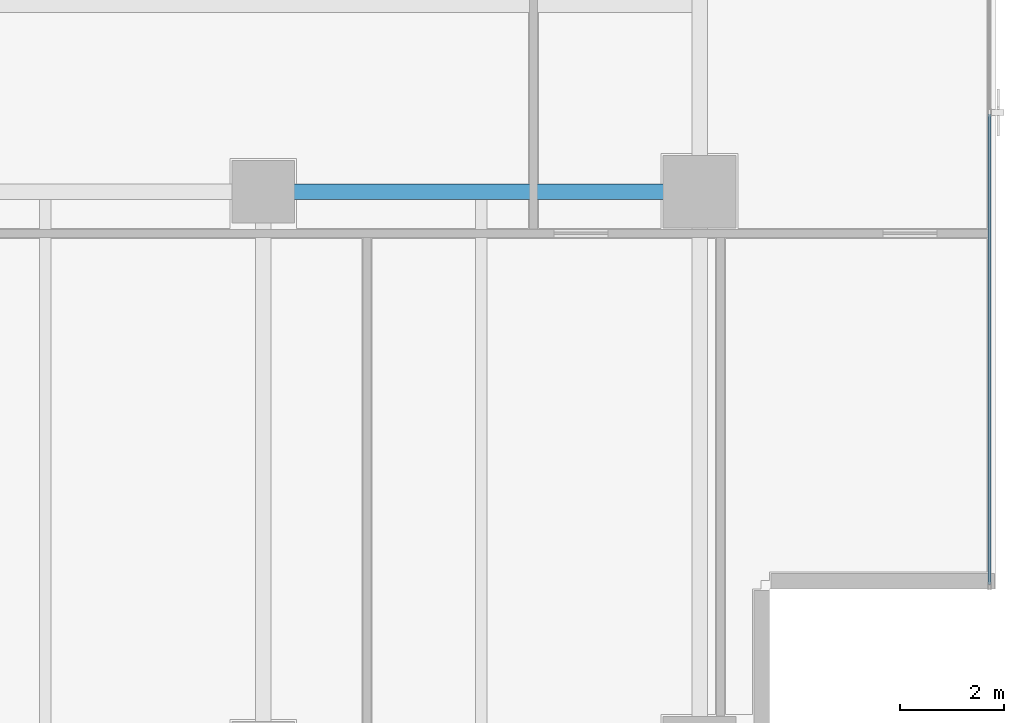
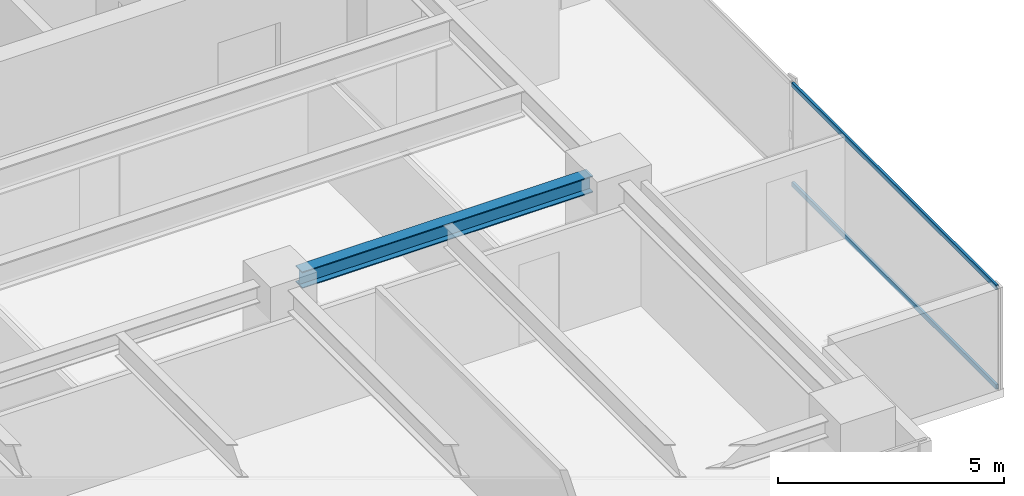
# One storey, part 12 of 26: 2 members, 1 beam, 1 element without a shape of its own.
"""IFC4 building model written with IfcOpenShell, lengths in metres."""

from ifc_helpers import new_model, si_unit, direction, frame, origin, origin_2d, place, context, subcontext, project, spatial, hollow_rectangle, i_section, extrude, source, transform, mapped, material, layer, layer_set, material_profile, profile_set, type_object, element, aggregate, save


model = new_model("IFC4")

# Units and contexts
model_context = context("Model", 3, precision=1e-05, world=origin(), true_north=direction((0.0, 1.0)))
body_context = subcontext(model_context, "Body", "Model", "MODEL_VIEW")
ifc_project = project(units=[si_unit("LENGTHUNIT", "METRE"), si_unit("AREAUNIT", "SQUARE_METRE"), si_unit("VOLUMEUNIT", "CUBIC_METRE"), si_unit("PLANEANGLEUNIT", "RADIAN"), si_unit("MASSUNIT", "GRAM", prefix="KILO")], contexts=[model_context])

# Site, building, storey
site_placement = place(None, origin())
site = spatial("IfcSite", under=ifc_project, at=site_placement, CompositionType="ELEMENT")
building_placement = place(site_placement, origin())
building = spatial("IfcBuilding", under=site, at=building_placement, Name="Sumidabori Civic Tower", CompositionType="ELEMENT")
storey_placement = place(building_placement, frame((0.0, 0.0, 243.199951171875)))
storey = spatial("IfcBuildingStorey", under=building, at=storey_placement, Name="L63", CompositionType="ELEMENT", Elevation=243.199951171875)

# Beam
ifc_material_1 = material(Name="Steel SN490", Category="steel")
ifc_material_profile_1 = material_profile(ifc_material_1, i_section(OverallWidth=0.300048828125, OverallDepth=0.449951171875, WebThickness=0.013916015625, FlangeThickness=0.02587890625, at=origin_2d()), Name="HE 450 B")
ifc_profile_set_1 = profile_set([ifc_material_profile_1], Name="Steel SN490")
beam_type = type_object("IfcBeamType", Name="BM-GIRD-450", PredefinedType="BEAM", material=ifc_profile_set_1)
shared_shape_1 = source(origin(), body_context, "Body", "SweptSolid", [
    extrude(i_section(OverallWidth=0.300048828125, OverallDepth=0.449951171875, WebThickness=0.013916015625, FlangeThickness=0.02587890625, at=origin_2d()), origin(), (0.0, 0.0, 1.0), 7.440185546875),
])
beam_placement = place(storey_placement, frame((8.8798828125, 0.0, 3.14501953125), z_axis=(1.0, 0.0, 0.0), x_axis=(0.0, 1.0, 0.0)))
element("IfcBeam", 1, at=beam_placement, inside=storey, type_object=beam_type, Name="Primary Girder L63 GX-08", PredefinedType="BEAM", context=body_context, shape_type="MappedRepresentation", body=[
    mapped(shared_shape_1, transform((0.0, 0.0, 0.0), x_axis=(1.0, 0.0, 0.0), y_axis=(0.0, 1.0, 0.0), z_axis=(0.0, 0.0, 1.0), scale=1.0)),
])

# Curtain wall, members
ifc_material_2 = material(Name="Anodised Bronze Aluminium AW-6063-T6", Category="aluminium")
ifc_layer = layer(ifc_material_2, 0.179931640625, Name="Anodised Bronze Aluminium AW-6063-T6")
ifc_layer_set = layer_set([ifc_layer], Name="Anodised Bronze Aluminium AW-6063-T6")
curtain_wall_type = type_object("IfcCurtainWallType", Name="CW-SYS-5", PredefinedType="NOTDEFINED", material=ifc_layer_set)
curtain_wall_placement = place(storey_placement, origin())
curtain_wall = element("IfcCurtainWall", 2, at=curtain_wall_placement, inside=storey, type_object=curtain_wall_type, Name="Curtain Wall CW:L63:R04", PredefinedType="NOTDEFINED")
ifc_material_profile_2 = material_profile(ifc_material_2, hollow_rectangle(XDim=0.06005859375, YDim=0.1298828125, WallThickness=0.0048828125, at=origin_2d()), Name="ALU TRANSOM 130x60")
ifc_profile_set_2 = profile_set([ifc_material_profile_2], Name="Anodised Bronze Aluminium AW-6063-T6")
member_type = type_object("IfcMemberType", Name="CW-TRN-130", PredefinedType="USERDEFINED", material=ifc_profile_set_2)
shared_shape_2 = source(origin(), body_context, "Body", "SweptSolid", [
    extrude(hollow_rectangle(XDim=0.06005859375, YDim=0.1298828125, WallThickness=0.0048828125, at=origin_2d()), origin(), (0.0, 0.0, 1.0), 9.056640625),
])
member_1_placement = place(storey_placement, frame((22.3798828125, -7.56005859375, 0.030029296875), z_axis=(0.0, 1.0, 0.0), x_axis=(-1.0, 0.0, 0.0)))
member_1 = element("IfcMember", 3, at=member_1_placement, type_object=member_type, Name="CW-5 transom 1.1", ObjectType="TRANSOM", PredefinedType="USERDEFINED", context=body_context, shape_type="MappedRepresentation", body=[
    mapped(shared_shape_2, transform((0.0, 0.0, 0.0), x_axis=(1.0, 0.0, 0.0), y_axis=(0.0, 1.0, 0.0), z_axis=(0.0, 0.0, 1.0), scale=1.0)),
])
member_2_placement = place(storey_placement, frame((22.3798828125, -7.56005859375, 2.719970703125), z_axis=(0.0, 1.0, 0.0), x_axis=(-1.0, 0.0, 0.0)))
member_2 = element("IfcMember", 4, at=member_2_placement, type_object=member_type, Name="CW-5 transom 1.2", ObjectType="TRANSOM", PredefinedType="USERDEFINED", context=body_context, shape_type="MappedRepresentation", body=[
    mapped(shared_shape_2, transform((0.0, 0.0, 0.0), x_axis=(1.0, 0.0, 0.0), y_axis=(0.0, 1.0, 0.0), z_axis=(0.0, 0.0, 1.0), scale=1.0)),
])
aggregate(curtain_wall, [member_1, member_2])

save(model, "model.ifc")
